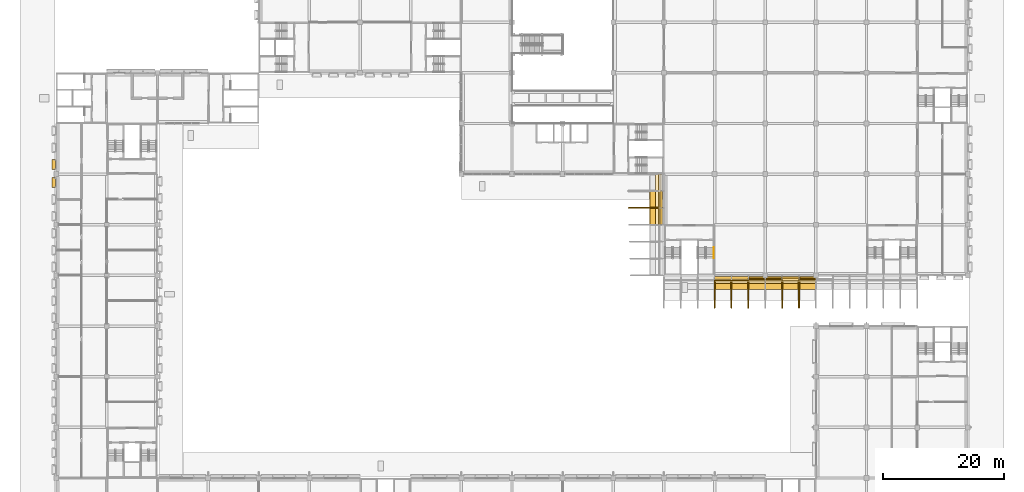
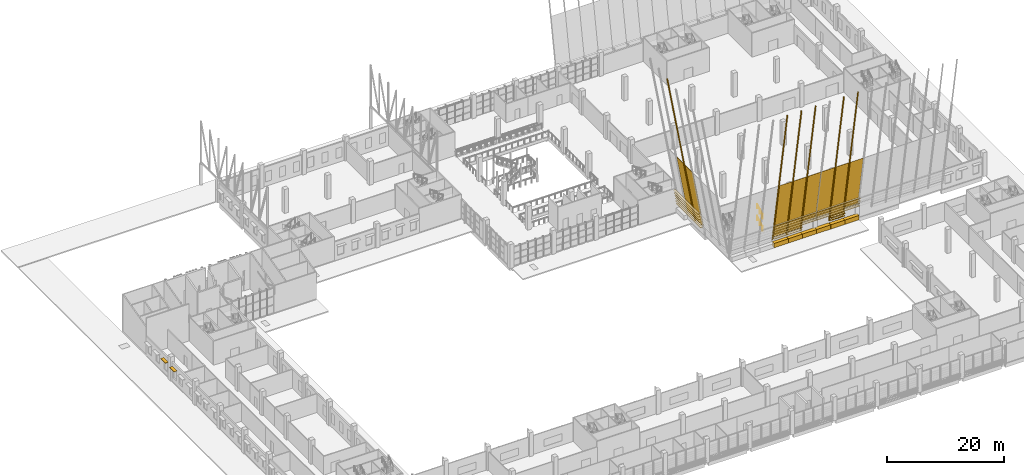
# One storey, part 78 of 101: 40 coverings, 8 shading devices, 2 railings.
"""IFC4 building model written with IfcOpenShell, lengths in metres."""

import ifcopenshell
import ifcopenshell.guid

model = None  # the IFC model being written
_history = None  # IfcOwnerHistory: only IFC2X3 demands one
_inside = {}  # id of a spatial element -> (the spatial element, [elements in it])
_under = {}  # id of a project, library or spatial element -> (it, [spatial elements below it])
_declared = {}  # id of a project -> (the project, [libraries it declares])
_typed = {}  # id of a type object -> (the type object, [elements of that type])
_made_of = {}  # id of a material, layer set ... -> (it, [elements and type objects made of it])


def new_model(schema):
    """Start an empty IFC model of exactly this schema.

    Asked for "IFC4X3", IfcOpenShell would pick the latest addendum, in which some entities
    have other attributes; the version numbers below select the first issue.
    IFC2X3 requires an IfcOwnerHistory on every rooted entity: one is made here for all.
    """
    global model, _history
    if schema == "IFC4X3":
        model = ifcopenshell.file(schema_version=(4, 3, 0, 0))
    else:
        model = ifcopenshell.file(schema=schema)
    _inside.clear()
    _under.clear()
    _declared.clear()
    _typed.clear()
    _made_of.clear()
    _history = None
    if model.schema == "IFC2X3":
        org = make("IfcOrganization", Name="unknown")
        user = make(
            "IfcPersonAndOrganization",
            ThePerson=make("IfcPerson", FamilyName="unknown"),
            TheOrganization=org,
        )
        app = make(
            "IfcApplication",
            ApplicationDeveloper=org,
            Version="unknown",
            ApplicationFullName="unknown",
            ApplicationIdentifier="unknown",
        )
        _history = make(
            "IfcOwnerHistory",
            OwningUser=user,
            OwningApplication=app,
            ChangeAction="ADDED",
            CreationDate=0,
        )
    return model


def make(cls, **values):
    """One entity of the class cls with the attributes given. An attribute that is None is left unset."""
    return model.create_entity(
        cls, **{name: value for name, value in values.items() if value is not None}
    )


def rooted(cls, **values):
    """An entity with a GlobalId (a new one), such as an element, a storey or a relation."""
    return make(cls, GlobalId=ifcopenshell.guid.new(), OwnerHistory=_history, **values)


def si_unit(unit_type, name, prefix=None):
    """IfcSIUnit, for example si_unit("LENGTHUNIT", "METRE", prefix="MILLI")."""
    return make("IfcSIUnit", UnitType=unit_type, Prefix=prefix, Name=name)


def assignment(units):
    """IfcUnitAssignment: the units of a project."""
    return None if units is None else make("IfcUnitAssignment", Units=units)


def point(xyz):
    """IfcCartesianPoint."""
    return None if xyz is None else make("IfcCartesianPoint", Coordinates=xyz)


def direction(xyz):
    """IfcDirection."""
    return None if xyz is None else make("IfcDirection", DirectionRatios=xyz)


def frame(location, z_axis=None, x_axis=None):
    """IfcAxis2Placement3D, a coordinate frame: its origin and axes. An axis left out is left unset."""
    return make(
        "IfcAxis2Placement3D",
        Location=point(location),
        Axis=direction(z_axis),
        RefDirection=direction(x_axis),
    )


def frame_2d(location, x_axis=None):
    """IfcAxis2Placement2D, a coordinate frame in the plane: its origin and x axis."""
    return make(
        "IfcAxis2Placement2D", Location=point(location), RefDirection=direction(x_axis)
    )


def origin():
    """The frame at (0, 0, 0) with its axes left unset."""
    return frame((0.0, 0.0, 0.0))


def origin_2d():
    """The frame at (0, 0) in the plane with its x axis left unset."""
    return frame_2d((0.0, 0.0))


def place(relative_to, where):
    """IfcLocalPlacement: puts the frame where relative to a parent placement (None: the world)."""
    return make(
        "IfcLocalPlacement", PlacementRelTo=relative_to, RelativePlacement=where
    )


def context(
    kind, dimensions, precision=None, world=None, true_north=None, identifier=None
):
    """IfcGeometricRepresentationContext, for example the 3D "Model" context."""
    return make(
        "IfcGeometricRepresentationContext",
        ContextIdentifier=identifier,
        ContextType=kind,
        CoordinateSpaceDimension=dimensions,
        Precision=precision,
        WorldCoordinateSystem=world,
        TrueNorth=true_north,
    )


def subcontext(parent, identifier, kind, view, scale=None):
    """IfcGeometricRepresentationSubContext, for example "Body" below "Model"."""
    return make(
        "IfcGeometricRepresentationSubContext",
        ContextIdentifier=identifier,
        ContextType=kind,
        ParentContext=parent,
        TargetScale=scale,
        TargetView=view,
    )


def project(units=None, contexts=None):
    """IfcProject with its units and contexts."""
    return rooted(
        "IfcProject",
        Name="project",
        RepresentationContexts=contexts,
        UnitsInContext=assignment(units),
    )


def spatial(cls, under=None, at=None, **own):
    """A site, building, storey or space (cls), placed at a placement, below another one or the project."""
    s = rooted(cls, ObjectPlacement=at, **own)
    if under is not None:
        _under.setdefault(under.id(), (under, []))[1].append(s)
    return s


def polyline(points):
    """IfcPolyline through the points."""
    return make("IfcPolyline", Points=[point(p) for p in points])


def profile(cls, at=None, kind="AREA", **sizes):
    """A parametric profile (cls). Its sizes go by their IFC names, for example OverallWidth=200.0."""
    return make(cls, ProfileType=kind, Position=at, **sizes)


def rectangle(**sizes):
    """IfcRectangleProfileDef."""
    return profile("IfcRectangleProfileDef", **sizes)


def circle(**sizes):
    """IfcCircleProfileDef."""
    return profile("IfcCircleProfileDef", **sizes)


def hollow_circle(**sizes):
    """IfcCircleHollowProfileDef."""
    return profile("IfcCircleHollowProfileDef", **sizes)


def outline(outer, holes=None, kind="AREA"):
    """IfcArbitraryClosedProfileDef: a profile drawn as a closed curve; with holes, ...WithVoids."""
    if holes is None:
        return make("IfcArbitraryClosedProfileDef", ProfileType=kind, OuterCurve=outer)
    return make(
        "IfcArbitraryProfileDefWithVoids",
        ProfileType=kind,
        OuterCurve=outer,
        InnerCurves=holes,
    )


def extrude(swept, where, along, depth):
    """IfcExtrudedAreaSolid: the profile swept, set in the frame where, extruded along a direction by depth."""
    return make(
        "IfcExtrudedAreaSolid",
        SweptArea=swept,
        Position=where,
        ExtrudedDirection=direction(along),
        Depth=depth,
    )


def shape(context_of_items, identifier, shape_type, items):
    """IfcShapeRepresentation: the items that make up one representation, for example the "Body"."""
    return make(
        "IfcShapeRepresentation",
        ContextOfItems=context_of_items,
        RepresentationIdentifier=identifier,
        RepresentationType=shape_type,
        Items=items,
    )


def material(Name=None, Category=None):
    """IfcMaterial."""
    return make("IfcMaterial", Name=Name, Category=Category)


def layer(
    of_material, thickness, ventilated=None, Name=None, Category=None, Priority=None
):
    """IfcMaterialLayer: one layer of a wall or slab, of a material (None: an air gap)."""
    return make(
        "IfcMaterialLayer",
        Material=of_material,
        LayerThickness=thickness,
        IsVentilated=ventilated,
        Name=Name,
        Category=Category,
        Priority=Priority,
    )


def layer_set(layers, Name=None):
    """IfcMaterialLayerSet."""
    return make("IfcMaterialLayerSet", MaterialLayers=layers, LayerSetName=Name)


def material_profile(
    of_material, cross_section, Name=None, Category=None, Priority=None
):
    """IfcMaterialProfile: a cross section and its material."""
    return make(
        "IfcMaterialProfile",
        Name=Name,
        Material=of_material,
        Profile=cross_section,
        Priority=Priority,
        Category=Category,
    )


def profile_set(profiles, Name=None, composite=None):
    """IfcMaterialProfileSet."""
    return make(
        "IfcMaterialProfileSet",
        Name=Name,
        MaterialProfiles=profiles,
        CompositeProfile=composite,
    )


def made_of(thing, what):
    """Note that an element or type object is made of a material, layer set ...; save() writes the relation."""
    if what is not None:
        _made_of.setdefault(what.id(), (what, []))[1].append(thing)
    return thing


def type_object(cls, material=None, **own):
    """A type object (cls), such as IfcWallType, which elements share."""
    return made_of(rooted(cls, **own), material)


def element(
    cls,
    number,
    at=None,
    inside=None,
    cuts=None,
    type_object=None,
    material=None,
    context=None,
    identifier="Body",
    shape_type=None,
    held_by="IfcProductDefinitionShape",
    body=None,
    shapes=None,
    **own,
):
    """One element of the class cls, such as IfcWall. Its Tag is "e" and its number.

    at: its placement. inside: the storey or other place that contains it. cuts: it is an
    opening in that element (IfcRelVoidsElement). A single representation is given by context,
    identifier, shape_type and body (its items); several are given by shapes. held_by: the class
    of the entity that holds the representations. save() writes the other relations.
    """
    e = rooted(cls, Tag="e%d" % number, ObjectPlacement=at, **own)
    if body is not None:
        shapes = [shape(context, identifier, shape_type, body)]
    if shapes is not None:
        e.Representation = make(held_by, Representations=shapes)
    if inside is not None:
        _inside.setdefault(inside.id(), (inside, []))[1].append(e)
    if cuts is not None:
        rooted(
            "IfcRelVoidsElement", RelatingBuildingElement=cuts, RelatedOpeningElement=e
        )
    if type_object is not None:
        _typed.setdefault(type_object.id(), (type_object, []))[1].append(e)
    return made_of(e, material)


def aggregate(whole, parts):
    """IfcRelAggregates: a whole, such as a stair, and the parts it consists of."""
    return rooted("IfcRelAggregates", RelatingObject=whole, RelatedObjects=parts)


def save(model, path):
    """Write the relations noted so far, then the file.

    IfcRelAggregates (storeys below a building ...), IfcRelContainedInSpatialStructure (elements
    in a storey), IfcRelDefinesByType, IfcRelAssociatesMaterial and IfcRelDeclares: one each for
    every whole, place, type object, material and project.
    """
    for whole, parts in _under.values():
        aggregate(whole, parts)
    for where, things in _inside.values():
        rooted(
            "IfcRelContainedInSpatialStructure",
            RelatedElements=things,
            RelatingStructure=where,
        )
    for kind, things in _typed.values():
        rooted("IfcRelDefinesByType", RelatedObjects=things, RelatingType=kind)
    for what, things in _made_of.values():
        rooted("IfcRelAssociatesMaterial", RelatedObjects=things, RelatingMaterial=what)
    for by, libraries in _declared.values():
        rooted("IfcRelDeclares", RelatingContext=by, RelatedDefinitions=libraries)
    model.write(path)


model = new_model("IFC4")

# Units and contexts
model_context = context("Model", 3, precision=1e-05, world=origin(), true_north=direction((0.0, 1.0)))
body_context = subcontext(model_context, "Body", "Model", "MODEL_VIEW")
ifc_project = project(units=[si_unit("LENGTHUNIT", "METRE"), si_unit("AREAUNIT", "SQUARE_METRE"), si_unit("VOLUMEUNIT", "CUBIC_METRE"), si_unit("PLANEANGLEUNIT", "RADIAN"), si_unit("MASSUNIT", "GRAM", prefix="KILO")], contexts=[model_context])

# Site, building, storey
site_placement = place(None, origin())
site = spatial("IfcSite", under=ifc_project, at=site_placement, CompositionType="ELEMENT")
building_placement = place(site_placement, origin())
building = spatial("IfcBuilding", under=site, at=building_placement, Name="Almond Square Museum", CompositionType="ELEMENT")
storey_placement = place(building_placement, frame((0.0, 0.0, 5.5)))
storey = spatial("IfcBuildingStorey", under=building, at=storey_placement, Name="L01", CompositionType="ELEMENT", Elevation=5.5)

# Coverings
ifc_material_1 = material(Name="Cedar timber louvre board", Category="wood")
ifc_material_profile_1 = material_profile(ifc_material_1, rectangle(XDim=0.449951171875, YDim=0.050048828125, at=origin_2d()))
ifc_profile_set_1 = profile_set([ifc_material_profile_1], Name="Cedar timber louvre board")
covering_type_1 = type_object("IfcCoveringType", Name="Louvre board 450 x 50", PredefinedType="CLADDING", material=ifc_profile_set_1)
covering_1_placement = place(storey_placement, frame((115.199951171875, 49.776123046875, 1.800048828125), z_axis=(1.0, 0.0, 0.0), x_axis=(0.0, 1.0, 0.0)))
element("IfcCovering", 1, at=covering_1_placement, inside=storey, type_object=covering_type_1, Name="Louvre board S01.02", PredefinedType="CLADDING", context=body_context, shape_type="SweptSolid", body=[
    extrude(rectangle(XDim=0.449951171875, YDim=0.050048828125, at=origin_2d()), origin(), (0.0, 0.0, 1.0), 5.60009765625),
])
covering_2_placement = place(storey_placement, frame((126.39990234375, 49.776123046875, 1.800048828125), z_axis=(1.0, 0.0, 0.0), x_axis=(0.0, 1.0, 0.0)))
element("IfcCovering", 2, at=covering_2_placement, inside=storey, type_object=covering_type_1, Name="Louvre board S01.03", PredefinedType="CLADDING", context=body_context, shape_type="SweptSolid", body=[
    extrude(rectangle(XDim=0.449951171875, YDim=0.050048828125, at=origin_2d()), origin(), (0.0, 0.0, 1.0), 2.800048828125),
])
covering_3_placement = place(storey_placement, frame((115.199951171875, 49.67041015625, 2.39990234375), z_axis=(1.0, 0.0, 0.0), x_axis=(0.0, 1.0, 0.0)))
element("IfcCovering", 3, at=covering_3_placement, inside=storey, type_object=covering_type_1, Name="Louvre board S02.02", PredefinedType="CLADDING", context=body_context, shape_type="SweptSolid", body=[
    extrude(rectangle(XDim=0.449951171875, YDim=0.050048828125, at=origin_2d()), origin(), (0.0, 0.0, 1.0), 5.60009765625),
])
covering_4_placement = place(storey_placement, frame((126.39990234375, 49.67041015625, 2.39990234375), z_axis=(1.0, 0.0, 0.0), x_axis=(0.0, 1.0, 0.0)))
element("IfcCovering", 4, at=covering_4_placement, inside=storey, type_object=covering_type_1, Name="Louvre board S02.03", PredefinedType="CLADDING", context=body_context, shape_type="SweptSolid", body=[
    extrude(rectangle(XDim=0.449951171875, YDim=0.050048828125, at=origin_2d()), origin(), (0.0, 0.0, 1.0), 2.800048828125),
])
covering_5_placement = place(storey_placement, frame((115.199951171875, 49.564453125, 3.0), z_axis=(1.0, 0.0, 0.0), x_axis=(0.0, 1.0, 0.0)))
element("IfcCovering", 5, at=covering_5_placement, inside=storey, type_object=covering_type_1, Name="Louvre board S03.02", PredefinedType="CLADDING", context=body_context, shape_type="SweptSolid", body=[
    extrude(rectangle(XDim=0.449951171875, YDim=0.050048828125, at=origin_2d()), origin(), (0.0, 0.0, 1.0), 8.400146484375),
])
covering_6_placement = place(storey_placement, frame((123.60009765625, 49.564453125, 3.0), z_axis=(1.0, 0.0, 0.0), x_axis=(0.0, 1.0, 0.0)))
element("IfcCovering", 6, at=covering_6_placement, inside=storey, type_object=covering_type_1, Name="Louvre board S03.03", PredefinedType="CLADDING", context=body_context, shape_type="SweptSolid", body=[
    extrude(rectangle(XDim=0.449951171875, YDim=0.050048828125, at=origin_2d()), origin(), (0.0, 0.0, 1.0), 8.39990234375),
])
covering_7_placement = place(storey_placement, frame((115.199951171875, 49.458740234375, 3.60009765625), z_axis=(1.0, 0.0, 0.0), x_axis=(0.0, 1.0, 0.0)))
element("IfcCovering", 7, at=covering_7_placement, inside=storey, type_object=covering_type_1, Name="Louvre board S04.02", PredefinedType="CLADDING", context=body_context, shape_type="SweptSolid", body=[
    extrude(rectangle(XDim=0.449951171875, YDim=0.050048828125, at=origin_2d()), origin(), (0.0, 0.0, 1.0), 8.400146484375),
])
covering_8_placement = place(storey_placement, frame((123.60009765625, 49.458740234375, 3.60009765625), z_axis=(1.0, 0.0, 0.0), x_axis=(0.0, 1.0, 0.0)))
element("IfcCovering", 8, at=covering_8_placement, inside=storey, type_object=covering_type_1, Name="Louvre board S04.03", PredefinedType="CLADDING", context=body_context, shape_type="SweptSolid", body=[
    extrude(rectangle(XDim=0.449951171875, YDim=0.050048828125, at=origin_2d()), origin(), (0.0, 0.0, 1.0), 8.39990234375),
])
covering_9_placement = place(storey_placement, frame((115.199951171875, 49.35302734375, 4.199951171875), z_axis=(1.0, 0.0, 0.0), x_axis=(0.0, 1.0, 0.0)))
element("IfcCovering", 9, at=covering_9_placement, inside=storey, type_object=covering_type_1, Name="Louvre board S05.02", PredefinedType="CLADDING", context=body_context, shape_type="SweptSolid", body=[
    extrude(rectangle(XDim=0.449951171875, YDim=0.050048828125, at=origin_2d()), origin(), (0.0, 0.0, 1.0), 8.400146484375),
])
covering_10_placement = place(storey_placement, frame((123.60009765625, 49.35302734375, 4.199951171875), z_axis=(1.0, 0.0, 0.0), x_axis=(0.0, 1.0, 0.0)))
element("IfcCovering", 10, at=covering_10_placement, inside=storey, type_object=covering_type_1, Name="Louvre board S05.03", PredefinedType="CLADDING", context=body_context, shape_type="SweptSolid", body=[
    extrude(rectangle(XDim=0.449951171875, YDim=0.050048828125, at=origin_2d()), origin(), (0.0, 0.0, 1.0), 8.39990234375),
])
covering_11_placement = place(storey_placement, frame((115.199951171875, 49.2470703125, 4.800048828125), z_axis=(1.0, 0.0, 0.0), x_axis=(0.0, 1.0, 0.0)))
element("IfcCovering", 11, at=covering_11_placement, inside=storey, type_object=covering_type_1, Name="Louvre board S06.02", PredefinedType="CLADDING", context=body_context, shape_type="SweptSolid", body=[
    extrude(rectangle(XDim=0.449951171875, YDim=0.050048828125, at=origin_2d()), origin(), (0.0, 0.0, 1.0), 8.400146484375),
])
for number, where, z_axis, x_axis, name in (
    (12, (123.60009765625, 49.2470703125, 4.800048828125), (1.0, 0.0, 0.0), (0.0, 1.0, 0.0), "Louvre board S06.03"),
    (13, (106.17626953125, 58.800048828125, 1.800048828125), (0.0, 1.0, 0.0), (-1.0, 0.0, 0.0), "Louvre board W01.02"),
    (14, (106.0703125, 58.800048828125, 2.39990234375), (0.0, 1.0, 0.0), (-1.0, 0.0, 0.0), "Louvre board W02.02"),
    (15, (105.964599609375, 58.800048828125, 3.0), (0.0, 1.0, 0.0), (-1.0, 0.0, 0.0), "Louvre board W03.02"),
    (16, (105.85888671875, 58.800048828125, 3.60009765625), (0.0, 1.0, 0.0), (-1.0, 0.0, 0.0), "Louvre board W04.02"),
    (17, (105.7529296875, 58.800048828125, 4.199951171875), (0.0, 1.0, 0.0), (-1.0, 0.0, 0.0), "Louvre board W05.02"),
    (18, (105.647216796875, 58.800048828125, 4.800048828125), (0.0, 1.0, 0.0), (-1.0, 0.0, 0.0), "Louvre board W06.02"),
):
    element("IfcCovering", number, at=place(storey_placement, frame(where, z_axis=z_axis, x_axis=x_axis)), inside=storey, type_object=covering_type_1, Name=name, PredefinedType="CLADDING", context=body_context, shape_type="SweptSolid", body=[
        extrude(rectangle(XDim=0.449951171875, YDim=0.050048828125, at=origin_2d()), origin(), (0.0, 0.0, 1.0), 8.39990234375),
    ])

# Shading devices
ifc_material_2 = material(Name="Structural steel S355", Category="steel")
ifc_material_profile_2 = material_profile(ifc_material_2, hollow_circle(Radius=0.084228515625, WallThickness=0.008056640625, at=origin_2d()))
ifc_profile_set_2 = profile_set([ifc_material_profile_2], Name="Structural steel S355")
shading_device_type_1 = type_object("IfcShadingDeviceType", Name="Louvre post CHS 168.3 x 8", PredefinedType="USERDEFINED", material=ifc_profile_set_2)
for number, where, z_axis, x_axis, name in (
    (19, (115.199951171875, 50.14453125, 1.44873046875), (0.0, -0.173651732188, 0.984807126248), (1.0, 0.0, 0.0), "Louvre post S04"),
    (20, (118.0, 50.14453125, 1.44873046875), (0.0, -0.173651732188, 0.984807126248), (1.0, 0.0, 0.0), "Louvre post S05"),
    (21, (120.800048828125, 50.14453125, 1.44873046875), (0.0, -0.173651732188, 0.984807126248), (1.0, 0.0, 0.0), "Louvre post S06"),
    (22, (126.39990234375, 50.14453125, 1.44873046875), (0.0, -0.173651732188, 0.984807126248), (1.0, 0.0, 0.0), "Louvre post S08"),
    (23, (129.199951171875, 50.14453125, 1.44873046875), (0.0, -0.173651732188, 0.984807126248), (1.0, 0.0, 0.0), "Louvre post S09"),
):
    element("IfcShadingDevice", number, at=place(storey_placement, frame(where, z_axis=z_axis, x_axis=x_axis)), inside=storey, type_object=shading_device_type_1, Name=name, ObjectType="POST", PredefinedType="USERDEFINED", context=body_context, shape_type="SweptSolid", body=[
        extrude(hollow_circle(Radius=0.084228515625, WallThickness=0.008056640625, at=origin_2d()), origin(), (0.0, 0.0, 1.0), 29.397705078125),
    ])
shading_device_placement = place(storey_placement, frame((106.54443359375, 61.60009765625, 1.44873046875), z_axis=(-0.173644527085, 0.0, 0.984808396701), x_axis=(0.0, -1.0, 0.0)))
element("IfcShadingDevice", 24, at=shading_device_placement, inside=storey, type_object=shading_device_type_1, Name="Louvre post W05", ObjectType="POST", PredefinedType="USERDEFINED", context=body_context, shape_type="SweptSolid", body=[
    extrude(hollow_circle(Radius=0.084228515625, WallThickness=0.008056640625, at=origin_2d()), origin(), (0.0, 0.0, 1.0), 32.0478515625),
])

# Coverings
ifc_material_3 = material(Name="Cedar timber sheathing panel", Category="wood")
ifc_layer_1 = layer(ifc_material_3, 0.030029296875)
ifc_layer_set_1 = layer_set([ifc_layer_1], Name="Cedar timber sheathing panel")
covering_type_2 = type_object("IfcCoveringType", Name="Louvre rain-screen backing panel 30", PredefinedType="CLADDING", material=ifc_layer_set_1)
covering_12_placement = place(storey_placement, frame((115.199951171875, 50.172607421875, 1.8486328125), z_axis=(0.0, -0.984810858511, -0.173630564586), x_axis=(1.0, 0.0, 0.0)))
element("IfcCovering", 25, at=covering_12_placement, inside=storey, type_object=covering_type_2, Name="Louvre rain-screen backing panel S04.03", PredefinedType="CLADDING", context=body_context, shape_type="SweptSolid", body=[
    extrude(outline(polyline([(0.0, 0.0), (2.800048828125, 0.0), (2.800048828125, 2.519717660558068), (0.0, 2.519717660558068), (0.0, 0.0)])), frame((0.0, 0.0, -0.01513671875)), (0.0, 0.0, 1.0), 0.030029296875),
])
covering_13_placement = place(storey_placement, frame((115.199951171875, 49.71044921875, 4.469970703125), z_axis=(0.0, -0.98480863204, -0.173643192378), x_axis=(1.0, 0.0, 0.0)))
element("IfcCovering", 26, at=covering_13_placement, inside=storey, type_object=covering_type_2, Name="Louvre rain-screen backing panel S04.04", PredefinedType="CLADDING", context=body_context, shape_type="SweptSolid", body=[
    extrude(outline(polyline([(0.0, 0.0), (2.800048828125, 0.0), (2.800048828125, 9.504493682681225), (0.0, 9.504493682681225), (0.0, 0.0)])), frame((0.0, 0.0, -0.01513671875)), (0.0, 0.0, 1.0), 0.030029296875),
])
covering_14_placement = place(storey_placement, frame((118.0, 50.172607421875, 1.8486328125), z_axis=(0.0, -0.984810858511, -0.173630564586), x_axis=(1.0, 0.0, 0.0)))
element("IfcCovering", 27, at=covering_14_placement, inside=storey, type_object=covering_type_2, Name="Louvre rain-screen backing panel S05.03", PredefinedType="CLADDING", context=body_context, shape_type="SweptSolid", body=[
    extrude(outline(polyline([(0.0, 0.0), (2.800048828125, 0.0), (2.800048828125, 2.519717660558068), (0.0, 2.519717660558068), (0.0, 0.0)])), frame((0.0, 0.0, -0.01513671875)), (0.0, 0.0, 1.0), 0.030029296875),
])
covering_15_placement = place(storey_placement, frame((118.0, 49.71044921875, 4.469970703125), z_axis=(0.0, -0.98480863204, -0.173643192378), x_axis=(1.0, 0.0, 0.0)))
element("IfcCovering", 28, at=covering_15_placement, inside=storey, type_object=covering_type_2, Name="Louvre rain-screen backing panel S05.04", PredefinedType="CLADDING", context=body_context, shape_type="SweptSolid", body=[
    extrude(outline(polyline([(0.0, 0.0), (2.800048828125, 0.0), (2.800048828125, 9.504493682681225), (0.0, 9.504493682681225), (0.0, 0.0)])), frame((0.0, 0.0, -0.01513671875)), (0.0, 0.0, 1.0), 0.030029296875),
])
covering_16_placement = place(storey_placement, frame((120.800048828125, 49.922607421875, 3.2666015625), z_axis=(0.0, -0.984810858511, -0.173630564586), x_axis=(1.0, 0.0, 0.0)))
element("IfcCovering", 29, at=covering_16_placement, inside=storey, type_object=covering_type_2, Name="Louvre rain-screen backing panel S06.03", PredefinedType="CLADDING", context=body_context, shape_type="SweptSolid", body=[
    extrude(outline(polyline([(0.0, 0.0), (2.800048828125, 0.0), (2.800048828125, 1.079878997382029), (0.0, 1.079878997382029), (0.0, 0.0)])), frame((0.0, 0.0, -0.01513671875)), (0.0, 0.0, 1.0), 0.030029296875),
])
covering_17_placement = place(storey_placement, frame((120.800048828125, 49.71044921875, 4.469970703125), z_axis=(0.0, -0.98480863204, -0.173643192378), x_axis=(1.0, 0.0, 0.0)))
element("IfcCovering", 30, at=covering_17_placement, inside=storey, type_object=covering_type_2, Name="Louvre rain-screen backing panel S06.04", PredefinedType="CLADDING", context=body_context, shape_type="SweptSolid", body=[
    extrude(outline(polyline([(0.0, 0.0), (2.800048828125, 0.0), (2.800048828125, 9.504493682681225), (0.0, 9.504493682681225), (0.0, 0.0)])), frame((0.0, 0.0, -0.01513671875)), (0.0, 0.0, 1.0), 0.030029296875),
])
covering_18_placement = place(storey_placement, frame((123.60009765625, 49.922607421875, 3.2666015625), z_axis=(0.0, -0.984810858511, -0.173630564586), x_axis=(1.0, 0.0, 0.0)))
element("IfcCovering", 31, at=covering_18_placement, inside=storey, type_object=covering_type_2, Name="Louvre rain-screen backing panel S07.03", PredefinedType="CLADDING", context=body_context, shape_type="SweptSolid", body=[
    extrude(outline(polyline([(0.0, 0.0), (2.7998046875, 0.0), (2.7998046875, 1.0798789973820293), (0.0, 1.0798789973820293), (0.0, 0.0)])), frame((0.0, 0.0, -0.01513671875)), (0.0, 0.0, 1.0), 0.030029296875),
])
covering_19_placement = place(storey_placement, frame((123.60009765625, 49.71044921875, 4.469970703125), z_axis=(0.0, -0.98480863204, -0.173643192378), x_axis=(1.0, 0.0, 0.0)))
element("IfcCovering", 32, at=covering_19_placement, inside=storey, type_object=covering_type_2, Name="Louvre rain-screen backing panel S07.04", PredefinedType="CLADDING", context=body_context, shape_type="SweptSolid", body=[
    extrude(outline(polyline([(0.0, 0.0), (2.7998046875, 0.0), (2.7998046875, 9.504493682681227), (0.0, 9.504493682681227), (0.0, 0.0)])), frame((0.0, 0.0, -0.01513671875)), (0.0, 0.0, 1.0), 0.030029296875),
])
covering_20_placement = place(storey_placement, frame((126.39990234375, 50.172607421875, 1.8486328125), z_axis=(0.0, -0.984810858511, -0.173630564586), x_axis=(1.0, 0.0, 0.0)))
element("IfcCovering", 33, at=covering_20_placement, inside=storey, type_object=covering_type_2, Name="Louvre rain-screen backing panel S08.03", PredefinedType="CLADDING", context=body_context, shape_type="SweptSolid", body=[
    extrude(outline(polyline([(0.0, 0.0), (2.800048828125, 0.0), (2.800048828125, 2.519717660558068), (0.0, 2.519717660558068), (0.0, 0.0)])), frame((0.0, 0.0, -0.01513671875)), (0.0, 0.0, 1.0), 0.030029296875),
])
covering_21_placement = place(storey_placement, frame((126.39990234375, 49.71044921875, 4.469970703125), z_axis=(0.0, -0.98480863204, -0.173643192378), x_axis=(1.0, 0.0, 0.0)))
element("IfcCovering", 34, at=covering_21_placement, inside=storey, type_object=covering_type_2, Name="Louvre rain-screen backing panel S08.04", PredefinedType="CLADDING", context=body_context, shape_type="SweptSolid", body=[
    extrude(outline(polyline([(0.0, 0.0), (2.800048828125, 0.0), (2.800048828125, 9.504493682681225), (0.0, 9.504493682681225), (0.0, 0.0)])), frame((0.0, 0.0, -0.01513671875)), (0.0, 0.0, 1.0), 0.030029296875),
])
covering_22_placement = place(storey_placement, frame((129.199951171875, 49.922607421875, 3.2666015625), z_axis=(0.0, -0.984810858511, -0.173630564586), x_axis=(1.0, 0.0, 0.0)))
element("IfcCovering", 35, at=covering_22_placement, inside=storey, type_object=covering_type_2, Name="Louvre rain-screen backing panel S09.03", PredefinedType="CLADDING", context=body_context, shape_type="SweptSolid", body=[
    extrude(outline(polyline([(0.0, 0.0), (2.800048828125, 0.0), (2.800048828125, 1.079878997382029), (0.0, 1.079878997382029), (0.0, 0.0)])), frame((0.0, 0.0, -0.01513671875)), (0.0, 0.0, 1.0), 0.030029296875),
])
covering_23_placement = place(storey_placement, frame((129.199951171875, 49.71044921875, 4.469970703125), z_axis=(0.0, -0.98480863204, -0.173643192378), x_axis=(1.0, 0.0, 0.0)))
element("IfcCovering", 36, at=covering_23_placement, inside=storey, type_object=covering_type_2, Name="Louvre rain-screen backing panel S09.04", PredefinedType="CLADDING", context=body_context, shape_type="SweptSolid", body=[
    extrude(outline(polyline([(0.0, 0.0), (2.800048828125, 0.0), (2.800048828125, 9.504493682681225), (0.0, 9.504493682681225), (0.0, 0.0)])), frame((0.0, 0.0, -0.01513671875)), (0.0, 0.0, 1.0), 0.030029296875),
])
covering_24_placement = place(storey_placement, frame((106.57275390625, 58.800048828125, 1.8486328125), z_axis=(0.984810858511, 0.0, 0.173630564586), x_axis=(0.0, 1.0, 0.0)))
element("IfcCovering", 37, at=covering_24_placement, inside=storey, type_object=covering_type_2, Name="Louvre rain-screen backing panel W04.03", PredefinedType="CLADDING", context=body_context, shape_type="SweptSolid", body=[
    extrude(outline(polyline([(0.0, 0.0), (2.800048828125, 0.0), (2.800048828125, 2.519717660558068), (0.0, 2.519717660558068), (0.0, 0.0)])), frame((0.0, 0.0, -0.01513671875)), (0.0, 0.0, 1.0), 0.030029296875),
])
covering_25_placement = place(storey_placement, frame((106.110595703125, 58.800048828125, 4.469970703125), z_axis=(0.98480863204, 0.0, 0.173643192378), x_axis=(0.0, 1.0, 0.0)))
element("IfcCovering", 38, at=covering_25_placement, inside=storey, type_object=covering_type_2, Name="Louvre rain-screen backing panel W04.04", PredefinedType="CLADDING", context=body_context, shape_type="SweptSolid", body=[
    extrude(outline(polyline([(0.0, 0.0), (2.800048828125, 0.0), (2.800048828125, 9.504493682681225), (0.0, 9.504493682681225), (0.0, 0.0)])), frame((0.0, 0.0, -0.01513671875)), (0.0, 0.0, 1.0), 0.030029296875),
])
covering_26_placement = place(storey_placement, frame((106.57275390625, 61.60009765625, 1.8486328125), z_axis=(0.984810858511, 0.0, 0.173630564586), x_axis=(0.0, 1.0, 0.0)))
element("IfcCovering", 39, at=covering_26_placement, inside=storey, type_object=covering_type_2, Name="Louvre rain-screen backing panel W05.03", PredefinedType="CLADDING", context=body_context, shape_type="SweptSolid", body=[
    extrude(outline(polyline([(0.0, 0.0), (2.7998046875, 0.0), (2.7998046875, 2.519717660558068), (0.0, 2.519717660558068), (0.0, 0.0)])), frame((0.0, 0.0, -0.01513671875)), (0.0, 0.0, 1.0), 0.030029296875),
])
covering_27_placement = place(storey_placement, frame((106.110595703125, 61.60009765625, 4.469970703125), z_axis=(0.98480863204, 0.0, 0.173643192378), x_axis=(0.0, 1.0, 0.0)))
element("IfcCovering", 40, at=covering_27_placement, inside=storey, type_object=covering_type_2, Name="Louvre rain-screen backing panel W05.04", PredefinedType="CLADDING", context=body_context, shape_type="SweptSolid", body=[
    extrude(outline(polyline([(0.0, 0.0), (2.7998046875, 0.0), (2.7998046875, 9.504493682681227), (0.0, 9.504493682681227), (0.0, 0.0)])), frame((0.0, 0.0, -0.01513671875)), (0.0, 0.0, 1.0), 0.030029296875),
])
ifc_material_4 = material(Name="Timber plinth, cedar", Category="wood")
ifc_layer_2 = layer(ifc_material_4, 0.699951171875)
ifc_layer_set_2 = layer_set([ifc_layer_2], Name="Timber plinth, cedar")
covering_type_3 = type_object("IfcCoveringType", Name="Louvre skin plinth, timber 700 x 900", PredefinedType="CLADDING", material=ifc_layer_set_2)
for number, where, z_axis, x_axis, name in (
    (41, (116.60009765625, 49.89990234375, 0.0), (0.0, 0.0, 1.0), (1.0, 0.0, 0.0), "Louvre skin plinth S04"),
    (42, (119.39990234375, 49.89990234375, 0.0), (0.0, 0.0, 1.0), (1.0, 0.0, 0.0), "Louvre skin plinth S05"),
    (43, (122.199951171875, 49.89990234375, 0.0), (0.0, 0.0, 1.0), (1.0, 0.0, 0.0), "Louvre skin plinth S06"),
    (44, (125.0, 49.89990234375, 0.0), (0.0, 0.0, 1.0), (1.0, 0.0, 0.0), "Louvre skin plinth S07"),
    (45, (127.800048828125, 49.89990234375, 0.0), (0.0, 0.0, 1.0), (1.0, 0.0, 0.0), "Louvre skin plinth S08"),
    (46, (130.60009765625, 49.89990234375, 0.0), (0.0, 0.0, 1.0), (1.0, 0.0, 0.0), "Louvre skin plinth S09"),
):
    element("IfcCovering", number, at=place(storey_placement, frame(where, z_axis=z_axis, x_axis=x_axis)), inside=storey, type_object=covering_type_3, Name=name, PredefinedType="CLADDING", context=body_context, shape_type="SweptSolid", body=[
        extrude(rectangle(XDim=2.780029296875, YDim=0.699951171875, at=origin_2d()), origin(), (0.0, 0.0, 1.0), 0.89990234375),
    ])

# Railings
ifc_material_5 = material(Name="Stainless steel", Category="steel")
railing_type = type_object("IfcRailingType", Name="Stair handrail 900 steel", PredefinedType="HANDRAIL", material=ifc_material_5)
for number, where, name in (
    (47, (115.044921875, 53.25, 1.428466796875), "L01 ST-02 stair handrail 2"),
    (48, (115.044921875, 53.25, 3.928466796875), "L01 ST-02 stair handrail 4"),
):
    element("IfcRailing", number, at=place(storey_placement, frame(where)), inside=storey, type_object=railing_type, Name=name, PredefinedType="HANDRAIL", context=body_context, shape_type="SweptSolid", body=[
        extrude(circle(Radius=0.02392578125, at=origin_2d()), frame((0.0, 0.0, 0.8759765625), z_axis=(0.0, 0.859277029364, 0.511510495305), x_axis=(-1.0, 0.0, 0.0)), (0.0, 0.0, 1.0), 2.0947265625),
        extrude(circle(Radius=0.02099609375, at=origin_2d()), origin(), (0.0, 0.0, 1.0), 0.851806640625),
        extrude(circle(Radius=0.02099609375, at=origin_2d()), frame((0.0, 0.89990234375, 0.53564453125)), (0.0, 0.0, 1.0), 0.851806640625),
        extrude(circle(Radius=0.02099609375, at=origin_2d()), frame((0.0, 1.800048828125, 1.071533203125)), (0.0, 0.0, 1.0), 0.851806640625),
    ])

# Shading devices
ifc_material_6 = material(Name="Anodised aluminium", Category="aluminium")
ifc_material_profile_3 = material_profile(ifc_material_6, rectangle(XDim=0.60009765625, YDim=0.050048828125, at=origin_2d()))
ifc_profile_set_3 = profile_set([ifc_material_profile_3], Name="Anodised aluminium")
shading_device_type_2 = type_object("IfcShadingDeviceType", Name="Sun-shade blade 600 x 50", PredefinedType="USERDEFINED", material=ifc_profile_set_3)
for number, where, z_axis, x_axis, name in (
    (49, (5.576904296875, 68.0, 3.1201171875), (0.0, 1.0, 0.0), (-1.0, 0.0, 0.0), "Sun-shade blade"),
    (50, (5.576904296875, 65.0, 3.1201171875), (0.0, 1.0, 0.0), (-1.0, 0.0, 0.0), "Sun-shade blade"),
):
    element("IfcShadingDevice", number, at=place(storey_placement, frame(where, z_axis=z_axis, x_axis=x_axis)), inside=storey, type_object=shading_device_type_2, Name=name, ObjectType="LOUVRE", PredefinedType="USERDEFINED", context=body_context, shape_type="SweptSolid", body=[
        extrude(rectangle(XDim=0.60009765625, YDim=0.050048828125, at=origin_2d()), origin(), (0.0, 0.0, 1.0), 1.60009765625),
    ])

save(model, "model.ifc")
